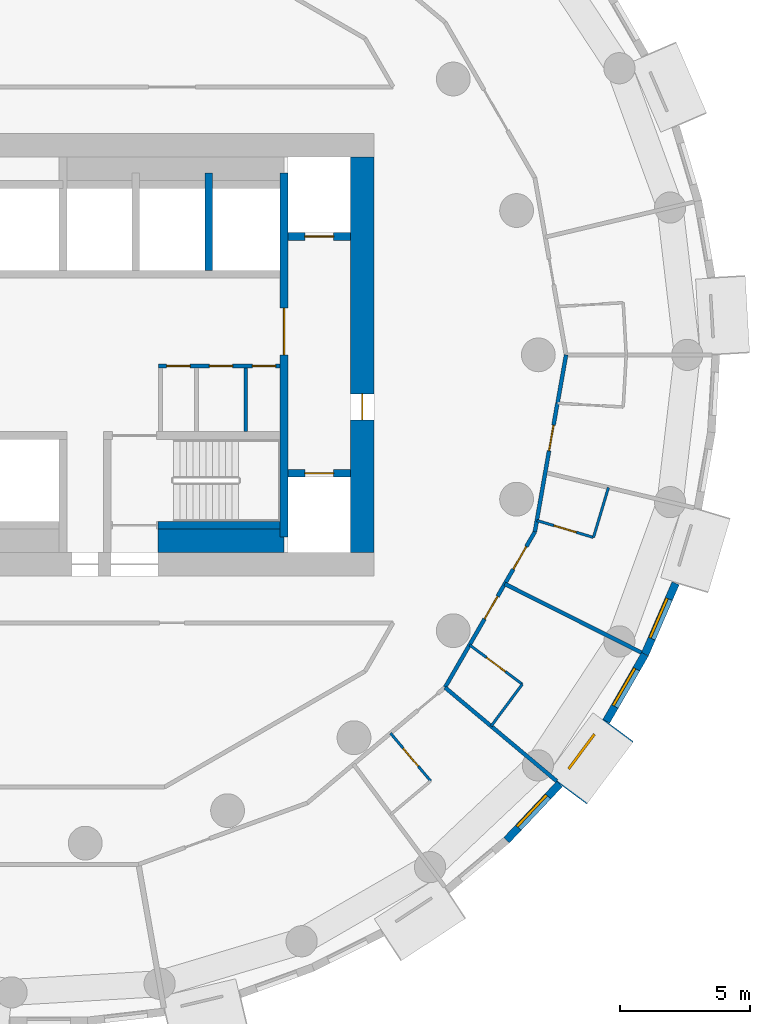
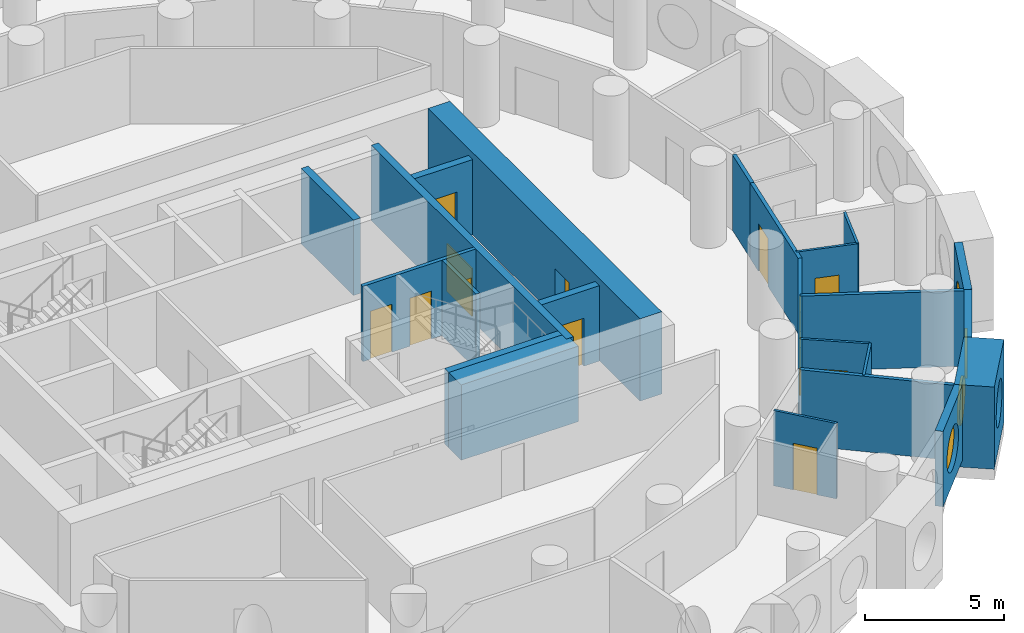
# One storey, part 5 of 10: 23 walls, 13 doors, 4 windows, 17 openings.
"""IFC4 building model written with IfcOpenShell, lengths in metres."""

from ifc_helpers import new_model, si_unit, direction, frame, frame_2d, origin, origin_2d, place, context, subcontext, project, spatial, rectangle, circle, extrude, material, layer, layer_set, type_object, element, fill, save


model = new_model("IFC4")

# Units and contexts
model_context = context("Model", 3, precision=1e-05, world=origin(), true_north=direction((0.0, 1.0)))
body_context = subcontext(model_context, "Body", "Model", "MODEL_VIEW")
ifc_project = project(units=[si_unit("LENGTHUNIT", "METRE"), si_unit("AREAUNIT", "SQUARE_METRE"), si_unit("VOLUMEUNIT", "CUBIC_METRE"), si_unit("PLANEANGLEUNIT", "RADIAN"), si_unit("MASSUNIT", "GRAM", prefix="KILO")], contexts=[model_context])

# Site, building, storey
site_placement = place(None, origin())
site = spatial("IfcSite", under=ifc_project, at=site_placement, CompositionType="ELEMENT")
building_placement = place(site_placement, origin())
building = spatial("IfcBuilding", under=site, at=building_placement, Name="Tracery Tower", CompositionType="ELEMENT")
storey_placement = place(building_placement, frame((0.0, 0.0, 194.39990234375)))
storey = spatial("IfcBuildingStorey", under=building, at=storey_placement, Name="L50", CompositionType="ELEMENT", Elevation=194.39990234375)

# Wall, openings, doors
ifc_material_1 = material(Name="Plasterboard on steel studs", Category="steel")
ifc_layer_1 = layer(ifc_material_1, 0.14990234375)
ifc_layer_set_1 = layer_set([ifc_layer_1], Name="Core room partition 150")
wall_type_1 = type_object("IfcWallType", Name="Core room partition 150", PredefinedType="SOLIDWALL", material=ifc_layer_set_1)
wall_1_placement = place(storey_placement, frame((4.22509765625, -0.425048828125, 0.0), z_axis=(0.0, 0.0, 1.0), x_axis=(1.0, 0.0, 0.0)))
wall_1 = element("IfcWall", 1, at=wall_1_placement, inside=storey, type_object=wall_type_1, Name="L50 slot N", PredefinedType="SOLIDWALL", context=body_context, shape_type="SweptSolid", body=[
    extrude(rectangle(XDim=4.6748046875, YDim=0.14990234375, at=frame_2d((2.33740234375, 0.0))), origin(), (0.0, 0.0, 1.0), 3.300048828125),
])
opening_1_placement = place(wall_1_placement, frame((0.3125, 0.0, 0.0)))
opening_1 = element("IfcOpeningElement", 2, at=opening_1_placement, cuts=wall_1, Name="Opening KD32", PredefinedType="OPENING", context=body_context, shape_type="SweptSolid", body=[
    extrude(rectangle(XDim=0.89990234375, YDim=2.10009765625, at=frame_2d((0.449951171875, 1.050048828125))), frame((0.0, 0.074951171875, 0.0), z_axis=(0.0, -1.0, 0.0), x_axis=(1.0, 0.0, 0.0)), (0.0, 0.0, 1.0), 0.14990234375),
])
opening_2_placement = place(wall_1_placement, frame((1.949951171875, 0.0, 0.0)))
opening_2 = element("IfcOpeningElement", 3, at=opening_2_placement, cuts=wall_1, Name="Opening KD21", PredefinedType="OPENING", context=body_context, shape_type="SweptSolid", body=[
    extrude(rectangle(XDim=0.89990234375, YDim=2.10009765625, at=frame_2d((0.449951171875, 1.050048828125))), frame((0.0, 0.074951171875, 0.0), z_axis=(0.0, -1.0, 0.0), x_axis=(1.0, 0.0, 0.0)), (0.0, 0.0, 1.0), 0.14990234375),
])
opening_3_placement = place(wall_1_placement, frame((3.60009765625, 0.0, 0.0)))
opening_3 = element("IfcOpeningElement", 4, at=opening_3_placement, cuts=wall_1, Name="Opening KD27", PredefinedType="OPENING", context=body_context, shape_type="SweptSolid", body=[
    extrude(rectangle(XDim=0.89990234375, YDim=2.10009765625, at=frame_2d((0.449951171875, 1.050048828125))), frame((0.0, 0.074951171875, 0.0), z_axis=(0.0, -1.0, 0.0), x_axis=(1.0, 0.0, 0.0)), (0.0, 0.0, 1.0), 0.14990234375),
])
ifc_material_2 = material(Name="Timber door leaf", Category="wood")
door_type_1 = type_object("IfcDoorType", Name="Core WC door 900", OperationType="NOTDEFINED", PredefinedType="DOOR", material=ifc_material_2)
door_1_placement = place(opening_2_placement, origin())
door_1 = element("IfcDoor", 5, at=door_1_placement, inside=storey, type_object=door_type_1, Name="Core door", OperationType="SINGLE_SWING_LEFT", OverallHeight=2.10009765625, OverallWidth=0.89990234375, PredefinedType="DOOR", context=body_context, shape_type="SweptSolid", body=[
    extrude(rectangle(XDim=0.89990234375, YDim=2.10009765625, at=frame_2d((0.449951171875, 1.050048828125))), frame((0.0, 0.02490234375, 0.0), z_axis=(0.0, -1.0, 0.0), x_axis=(1.0, 0.0, 0.0)), (0.0, 0.0, 1.0), 0.050048828125),
])
fill(opening_2, door_1)
ifc_material_3 = material(Name="Steel fire door", Category="steel")
door_type_2 = type_object("IfcDoorType", Name="Core riser door 900", OperationType="NOTDEFINED", PredefinedType="DOOR", material=ifc_material_3)
door_2_placement = place(opening_1_placement, origin())
door_2 = element("IfcDoor", 6, at=door_2_placement, inside=storey, type_object=door_type_2, Name="Core door", OperationType="SINGLE_SWING_RIGHT", OverallHeight=2.10009765625, OverallWidth=0.89990234375, PredefinedType="DOOR", context=body_context, shape_type="SweptSolid", body=[
    extrude(rectangle(XDim=0.89990234375, YDim=2.10009765625, at=frame_2d((0.449951171875, 1.050048828125))), frame((0.0, 0.02490234375, 0.0), z_axis=(0.0, -1.0, 0.0), x_axis=(1.0, 0.0, 0.0)), (0.0, 0.0, 1.0), 0.050048828125),
])
fill(opening_1, door_2)
ifc_material_4 = material(Name="Timber door leaf", Category="wood")
door_type_3 = type_object("IfcDoorType", Name="Core store door 900", OperationType="NOTDEFINED", PredefinedType="DOOR", material=ifc_material_4)
door_3_placement = place(opening_3_placement, origin())
door_3 = element("IfcDoor", 7, at=door_3_placement, inside=storey, type_object=door_type_3, Name="Core door", OperationType="SINGLE_SWING_RIGHT", OverallHeight=2.10009765625, OverallWidth=0.89990234375, PredefinedType="DOOR", context=body_context, shape_type="SweptSolid", body=[
    extrude(rectangle(XDim=0.89990234375, YDim=2.10009765625, at=frame_2d((0.449951171875, 1.050048828125))), frame((0.0, 0.02490234375, 0.0), z_axis=(0.0, -1.0, 0.0), x_axis=(1.0, 0.0, 0.0)), (0.0, 0.0, 1.0), 0.050048828125),
])
fill(opening_3, door_3)

# Walls
wall_2_placement = place(storey_placement, frame((7.574951171875, -2.949951171875, 0.0), z_axis=(0.0, 0.0, 1.0), x_axis=(0.0, 1.0, 0.0)))
element("IfcWall", 8, at=wall_2_placement, inside=storey, type_object=wall_type_1, Name="L50 slot sep 2", PredefinedType="SOLIDWALL", context=body_context, shape_type="SweptSolid", body=[
    extrude(rectangle(XDim=2.449951171875, YDim=0.14990234375, at=frame_2d((1.22509765625, 0.0))), origin(), (0.0, 0.0, 1.0), 3.300048828125),
])
ifc_material_5 = material(Name="Concrete C50/60", Category="concrete")
ifc_layer_2 = layer(ifc_material_5, 0.89990234375)
ifc_layer_set_2 = layer_set([ifc_layer_2], Name="Core strip wall 900 C50")
wall_type_2 = type_object("IfcWallType", Name="Core strip wall 900 C50", PredefinedType="SOLIDWALL", material=ifc_layer_set_2)
wall_3_placement = place(storey_placement, frame((4.199951171875, -7.14990234375, 0.0), z_axis=(0.0, 0.0, 1.0), x_axis=(1.0, 0.0, 0.0)))
element("IfcWall", 9, at=wall_3_placement, inside=storey, type_object=wall_type_2, Name="L50 F thick S E", PredefinedType="SOLIDWALL", context=body_context, shape_type="SweptSolid", body=[
    extrude(rectangle(XDim=4.85009765625, YDim=0.89990234375, at=frame_2d((2.425048828125, 0.0))), origin(), (0.0, 0.0, 1.0), 3.300048828125),
])

# Wall, opening, door
ifc_material_6 = material(Name="Concrete C50/60", Category="concrete")
ifc_layer_3 = layer(ifc_material_6, 0.89990234375)
ifc_layer_set_3 = layer_set([ifc_layer_3], Name="Core wall 900 C50")
wall_type_3 = type_object("IfcWallType", Name="Core wall 900 C50", PredefinedType="SOLIDWALL", material=ifc_layer_set_3)
wall_4_placement = place(storey_placement, frame((12.050048828125, -7.60009765625, 0.0), z_axis=(0.0, 0.0, 1.0), x_axis=(0.0, 1.0, 0.0)))
wall_4 = element("IfcWall", 10, at=wall_4_placement, inside=storey, type_object=wall_type_3, Name="L50 outer E", PredefinedType="SOLIDWALL", context=body_context, shape_type="SweptSolid", body=[
    extrude(rectangle(XDim=15.2001953125, YDim=0.89990234375, at=frame_2d((7.60009765625, 0.0))), origin(), (0.0, 0.0, 1.0), 3.60009765625),
])
opening_4_placement = place(wall_4_placement, frame((5.10009765625, 0.0, 0.0)))
opening_4 = element("IfcOpeningElement", 11, at=opening_4_placement, cuts=wall_4, Name="Opening KD18", PredefinedType="OPENING", context=body_context, shape_type="SweptSolid", body=[
    extrude(rectangle(XDim=1.0, YDim=2.10009765625, at=frame_2d((0.5, 1.050048828125))), frame((0.0, 0.449951171875, 0.0), z_axis=(0.0, -1.0, 0.0), x_axis=(1.0, 0.0, 0.0)), (0.0, 0.0, 1.0), 0.89990234375),
])
ifc_material_7 = material(Name="Steel fire door", Category="steel")
door_type_4 = type_object("IfcDoorType", Name="Core exit door 1000", OperationType="NOTDEFINED", PredefinedType="DOOR", material=ifc_material_7)
door_4_placement = place(opening_4_placement, origin())
door_4 = element("IfcDoor", 12, at=door_4_placement, inside=storey, type_object=door_type_4, Name="Core exit door", OperationType="DOUBLE_DOOR_SINGLE_SWING", OverallHeight=2.10009765625, OverallWidth=1.0, PredefinedType="DOOR", context=body_context, shape_type="SweptSolid", body=[
    extrude(rectangle(XDim=1.0, YDim=2.10009765625, at=frame_2d((0.5, 1.050048828125))), frame((0.0, 0.02490234375, 0.0), z_axis=(0.0, -1.0, 0.0), x_axis=(1.0, 0.0, 0.0)), (0.0, 0.0, 1.0), 0.050048828125),
])
fill(opening_4, door_4)

# Wall, opening, window
ifc_material_8 = material(Name="Precast concrete C50/60", Category="concrete")
ifc_layer_4 = layer(ifc_material_8, 1.449951171875)
ifc_layer_set_4 = layer_set([ifc_layer_4], Name="Deep-set bay unit 3000 x 3600, slab edge 300")
wall_type_4 = type_object("IfcWallType", Name="Deep-set bay unit 3000 x 3600, slab edge 300", PredefinedType="ELEMENTEDWALL", material=ifc_layer_set_4)
wall_5_placement = place(storey_placement, frame((20.10302734375, -16.836181640625, -0.2998046875), z_axis=(0.0, 0.0, 1.0), x_axis=(0.597183717734, 0.802104486506, 0.0)))
wall_5 = element("IfcWall", 13, at=wall_5_placement, inside=storey, type_object=wall_type_4, Name="Deep-set bay unit 49 at L50", PredefinedType="ELEMENTEDWALL", context=body_context, shape_type="SweptSolid", body=[
    extrude(rectangle(XDim=3.0, YDim=1.449951171875, at=frame_2d((1.5, 0.0))), origin(), (0.0, 0.0, 1.0), 3.599853515625),
])
opening_5_placement = place(wall_5_placement, frame((1.5, 0.0, 1.85009765625)))
opening_5 = element("IfcOpeningElement", 14, at=opening_5_placement, cuts=wall_5, Name="Opening WN1", PredefinedType="OPENING", context=body_context, shape_type="SweptSolid", body=[
    extrude(circle(Radius=0.9000244140625, at=origin_2d()), frame((0.0, 0.73486328125, 0.0), z_axis=(0.0, -1.0, 0.0), x_axis=(1.0, 0.0, 0.0)), (0.0, 0.0, 1.0), 1.469970703125),
])
ifc_material_9 = material(Name="Aluminium frame with tinted double glazing", Category="aluminium")
window_type = type_object("IfcWindowType", Name="Round window 1800", PartitioningType="SINGLE_PANEL", PredefinedType="WINDOW", material=ifc_material_9)
window_1_placement = place(opening_5_placement, origin())
window_1 = element("IfcWindow", 15, at=window_1_placement, inside=storey, type_object=window_type, Name="Round window 49 at L50", OverallHeight=1.800048828125, OverallWidth=1.800048828125, PartitioningType="SINGLE_PANEL", PredefinedType="WINDOW", context=body_context, shape_type="SweptSolid", body=[
    extrude(circle(Radius=0.9000244140625, at=origin_2d()), frame((0.0, 0.69482421875, 0.0), z_axis=(0.0, -1.0, 0.0), x_axis=(1.0, 0.0, 0.0)), (0.0, 0.0, 1.0), 0.10009765625),
])
fill(opening_5, window_1)

ifc_material_10 = material(Name="Precast concrete C50/60", Category="concrete")
ifc_layer_5 = layer(ifc_material_10, 0.300048828125)
ifc_layer_set_5 = layer_set([ifc_layer_5], Name="Facade panel 3000 x 3300")
wall_type_5 = type_object("IfcWallType", Name="Facade panel 3000 x 3300", PredefinedType="SOLIDWALL", material=ifc_layer_set_5)
wall_6_placement = place(storey_placement, frame((17.600341796875, -18.6552734375, 0.0), z_axis=(0.0, 0.0, 1.0), x_axis=(0.686235184166, 0.727379730273, 0.0)))
wall_6 = element("IfcWall", 16, at=wall_6_placement, inside=storey, type_object=wall_type_5, Name="Facade panel 48 at L50", PredefinedType="SOLIDWALL", context=body_context, shape_type="SweptSolid", body=[
    extrude(rectangle(XDim=2.972900390625, YDim=0.300048828125, at=frame_2d((1.486328125, 0.0))), origin(), (0.0, 0.0, 1.0), 3.300048828125),
])
opening_6_placement = place(wall_6_placement, frame((1.486328125, 0.0, 1.5498046875)))
opening_6 = element("IfcOpeningElement", 17, at=opening_6_placement, cuts=wall_6, Name="Opening WN1", PredefinedType="OPENING", context=body_context, shape_type="SweptSolid", body=[
    extrude(circle(Radius=0.9000244140625, at=origin_2d()), frame((0.0, 0.159912109375, 0.0), z_axis=(0.0, -1.0, 0.0), x_axis=(1.0, 0.0, 0.0)), (0.0, 0.0, 1.0), 0.320068359375),
])
window_2_placement = place(opening_6_placement, origin())
window_2 = element("IfcWindow", 18, at=window_2_placement, inside=storey, type_object=window_type, Name="Round window 48 at L50", OverallHeight=1.800048828125, OverallWidth=1.800048828125, PartitioningType="SINGLE_PANEL", PredefinedType="WINDOW", context=body_context, shape_type="SweptSolid", body=[
    extrude(circle(Radius=0.9000244140625, at=origin_2d()), frame((0.0, 0.1201171875, 0.0), z_axis=(0.0, -1.0, 0.0), x_axis=(1.0, 0.0, 0.0)), (0.0, 0.0, 1.0), 0.10009765625),
])
fill(opening_6, window_2)

wall_7_placement = place(storey_placement, frame((21.432861328125, -14.085205078125, 0.0), z_axis=(0.0, 0.0, 1.0), x_axis=(0.500016263033, 0.866016014115, 0.0)))
wall_7 = element("IfcWall", 19, at=wall_7_placement, inside=storey, type_object=wall_type_5, Name="Facade panel 50 at L50", PredefinedType="SOLIDWALL", context=body_context, shape_type="SweptSolid", body=[
    extrude(rectangle(XDim=2.97314453125, YDim=0.300048828125, at=frame_2d((1.486572265625, 0.0))), origin(), (0.0, 0.0, 1.0), 3.300048828125),
])
opening_7_placement = place(wall_7_placement, frame((1.486328125, 0.0, 1.5498046875)))
opening_7 = element("IfcOpeningElement", 20, at=opening_7_placement, cuts=wall_7, Name="Opening WN1", PredefinedType="OPENING", context=body_context, shape_type="SweptSolid", body=[
    extrude(circle(Radius=0.9000244140625, at=origin_2d()), frame((0.0, 0.159912109375, 0.0), z_axis=(0.0, -1.0, 0.0), x_axis=(1.0, 0.0, 0.0)), (0.0, 0.0, 1.0), 0.320068359375),
])
window_3_placement = place(opening_7_placement, origin())
window_3 = element("IfcWindow", 21, at=window_3_placement, inside=storey, type_object=window_type, Name="Round window 50 at L50", OverallHeight=1.800048828125, OverallWidth=1.800048828125, PartitioningType="SINGLE_PANEL", PredefinedType="WINDOW", context=body_context, shape_type="SweptSolid", body=[
    extrude(circle(Radius=0.9000244140625, at=origin_2d()), frame((0.0, 0.1201171875, 0.0), z_axis=(0.0, -1.0, 0.0), x_axis=(1.0, 0.0, 0.0)), (0.0, 0.0, 1.0), 0.10009765625),
])
fill(opening_7, window_3)

wall_8_placement = place(storey_placement, frame((22.91943359375, -11.510498046875, 0.0), z_axis=(0.0, 0.0, 1.0), x_axis=(0.396078892785, 0.918216483565, 0.0)))
wall_8 = element("IfcWall", 22, at=wall_8_placement, inside=storey, type_object=wall_type_5, Name="Facade panel 51 at L50", PredefinedType="SOLIDWALL", context=body_context, shape_type="SweptSolid", body=[
    extrude(rectangle(XDim=2.972900390625, YDim=0.300048828125, at=frame_2d((1.486328125, 0.0))), origin(), (0.0, 0.0, 1.0), 3.300048828125),
])
opening_8_placement = place(wall_8_placement, frame((1.486328125, 0.0, 1.5498046875)))
opening_8 = element("IfcOpeningElement", 23, at=opening_8_placement, cuts=wall_8, Name="Opening WN1", PredefinedType="OPENING", context=body_context, shape_type="SweptSolid", body=[
    extrude(circle(Radius=0.9000244140625, at=origin_2d()), frame((0.0, 0.159912109375, 0.0), z_axis=(0.0, -1.0, 0.0), x_axis=(1.0, 0.0, 0.0)), (0.0, 0.0, 1.0), 0.320068359375),
])
window_4_placement = place(opening_8_placement, origin())
window_4 = element("IfcWindow", 24, at=window_4_placement, inside=storey, type_object=window_type, Name="Round window 51 at L50", OverallHeight=1.800048828125, OverallWidth=1.800048828125, PartitioningType="SINGLE_PANEL", PredefinedType="WINDOW", context=body_context, shape_type="SweptSolid", body=[
    extrude(circle(Radius=0.9000244140625, at=origin_2d()), frame((0.0, 0.1201171875, 0.0), z_axis=(0.0, -1.0, 0.0), x_axis=(1.0, 0.0, 0.0)), (0.0, 0.0, 1.0), 0.10009765625),
])
fill(opening_8, window_4)

# Wall, opening, door
ifc_material_11 = material(Name="Plasterboard on steel studs", Category="steel")
ifc_layer_6 = layer(ifc_material_11, 0.10009765625)
ifc_layer_set_6 = layer_set([ifc_layer_6], Name="Partition 100 wet wall")
wall_type_6 = type_object("IfcWallType", Name="Partition 100 wet wall", PredefinedType="PARTITIONING", material=ifc_layer_set_6)
wall_9_placement = place(storey_placement, frame((13.138916015625, -14.5419921875, 0.0), z_axis=(0.0, 0.0, 1.0), x_axis=(0.642731657745, -0.766091388891, 0.0)))
wall_9 = element("IfcWall", 25, at=wall_9_placement, inside=storey, type_object=wall_type_6, Name="Wet wall RB7-059", PredefinedType="PARTITIONING", context=body_context, shape_type="SweptSolid", body=[
    extrude(rectangle(XDim=2.400634765625, YDim=0.10009765625, at=frame_2d((1.2001953125, 0.0))), origin(), (0.0, 0.0, 1.0), 3.300048828125),
])
opening_9_placement = place(wall_9_placement, frame((0.75048828125, 0.0, 0.0)))
opening_9 = element("IfcOpeningElement", 26, at=opening_9_placement, cuts=wall_9, Name="Opening RB7-19", PredefinedType="OPENING", context=body_context, shape_type="SweptSolid", body=[
    extrude(rectangle(XDim=0.89990234375, YDim=2.0400390625, at=frame_2d((0.449951171875, 1.02001953125))), frame((0.0, 0.050048828125, 0.0), z_axis=(0.0, -1.0, 0.0), x_axis=(1.0, 0.0, 0.0)), (0.0, 0.0, 1.0), 0.10009765625),
])
ifc_material_12 = material(Name="Timber door leaf", Category="wood")
door_type_5 = type_object("IfcDoorType", Name="Door en-suite 900", OperationType="NOTDEFINED", PredefinedType="DOOR", material=ifc_material_12)
door_5_placement = place(opening_9_placement, origin())
door_5 = element("IfcDoor", 27, at=door_5_placement, inside=storey, type_object=door_type_5, Name="En-suite door RB7-19", OperationType="SINGLE_SWING_LEFT", OverallHeight=2.0400390625, OverallWidth=0.89990234375, PredefinedType="DOOR", context=body_context, shape_type="SweptSolid", body=[
    extrude(rectangle(XDim=0.89990234375, YDim=2.0400390625, at=frame_2d((0.449951171875, 1.02001953125))), frame((0.0, 0.02490234375, 0.0), z_axis=(0.0, -1.0, 0.0), x_axis=(1.0, 0.0, 0.0)), (0.0, 0.0, 1.0), 0.050048828125),
])
fill(opening_9, door_5)

# Wall
wall_10_placement = place(storey_placement, frame((17.007080078125, -14.27099609375, 0.0), z_axis=(0.0, 0.0, 1.0), x_axis=(0.597019866774, 0.802226450996, 0.0)))
element("IfcWall", 28, at=wall_10_placement, inside=storey, type_object=wall_type_6, Name="Wet wall RB7-061", PredefinedType="PARTITIONING", context=body_context, shape_type="SweptSolid", body=[
    extrude(rectangle(XDim=2.00830078125, YDim=0.10009765625, at=frame_2d((1.004150390625, 0.0))), origin(), (0.0, 0.0, 1.0), 3.300048828125),
])

# Wall, opening, door
wall_11_placement = place(storey_placement, frame((16.177978515625, -11.14990234375, 0.0), z_axis=(0.0, 0.0, 1.0), x_axis=(0.8020923136, -0.597200067367, 0.0)))
wall_11 = element("IfcWall", 29, at=wall_11_placement, inside=storey, type_object=wall_type_6, Name="Wet wall RB7-062", PredefinedType="PARTITIONING", context=body_context, shape_type="SweptSolid", body=[
    extrude(rectangle(XDim=2.528564453125, YDim=0.10009765625, at=frame_2d((1.26416015625, 0.0))), origin(), (0.0, 0.0, 1.0), 3.300048828125),
])
opening_10_placement = place(wall_11_placement, frame((0.814453125, 0.0, 0.0)))
opening_10 = element("IfcOpeningElement", 30, at=opening_10_placement, cuts=wall_11, Name="Opening RB7-21", PredefinedType="OPENING", context=body_context, shape_type="SweptSolid", body=[
    extrude(rectangle(XDim=0.89990234375, YDim=2.0400390625, at=frame_2d((0.449951171875, 1.02001953125))), frame((0.0, 0.050048828125, 0.0), z_axis=(0.0, -1.0, 0.0), x_axis=(1.0, 0.0, 0.0)), (0.0, 0.0, 1.0), 0.10009765625),
])
door_6_placement = place(opening_10_placement, origin())
door_6 = element("IfcDoor", 31, at=door_6_placement, inside=storey, type_object=door_type_5, Name="En-suite door RB7-21", OperationType="SINGLE_SWING_LEFT", OverallHeight=2.0400390625, OverallWidth=0.89990234375, PredefinedType="DOOR", context=body_context, shape_type="SweptSolid", body=[
    extrude(rectangle(XDim=0.89990234375, YDim=2.0400390625, at=frame_2d((0.449951171875, 1.02001953125))), frame((0.0, 0.02490234375, 0.0), z_axis=(0.0, -1.0, 0.0), x_axis=(1.0, 0.0, 0.0)), (0.0, 0.0, 1.0), 0.050048828125),
])
fill(opening_10, door_6)

wall_12_placement = place(storey_placement, frame((18.764892578125, -6.366943359375, 0.0), z_axis=(0.0, 0.0, 1.0), x_axis=(0.958030169919, -0.286667391807, 0.0)))
wall_12 = element("IfcWall", 32, at=wall_12_placement, inside=storey, type_object=wall_type_6, Name="Wet wall RB7-064", PredefinedType="PARTITIONING", context=body_context, shape_type="SweptSolid", body=[
    extrude(rectangle(XDim=2.271240234375, YDim=0.10009765625, at=frame_2d((1.1357421875, 0.0))), origin(), (0.0, 0.0, 1.0), 3.300048828125),
])
opening_11_placement = place(wall_12_placement, frame((0.68603515625, 0.0, 0.0)))
opening_11 = element("IfcOpeningElement", 33, at=opening_11_placement, cuts=wall_12, Name="Opening RB7-23", PredefinedType="OPENING", context=body_context, shape_type="SweptSolid", body=[
    extrude(rectangle(XDim=0.89990234375, YDim=2.0400390625, at=frame_2d((0.449951171875, 1.02001953125))), frame((0.0, 0.050048828125, 0.0), z_axis=(0.0, -1.0, 0.0), x_axis=(1.0, 0.0, 0.0)), (0.0, 0.0, 1.0), 0.10009765625),
])
door_7_placement = place(opening_11_placement, origin())
door_7 = element("IfcDoor", 34, at=door_7_placement, inside=storey, type_object=door_type_5, Name="En-suite door RB7-23", OperationType="SINGLE_SWING_RIGHT", OverallHeight=2.0400390625, OverallWidth=0.89990234375, PredefinedType="DOOR", context=body_context, shape_type="SweptSolid", body=[
    extrude(rectangle(XDim=0.89990234375, YDim=2.0400390625, at=frame_2d((0.449951171875, 1.02001953125))), frame((0.0, 0.02490234375, 0.0), z_axis=(0.0, -1.0, 0.0), x_axis=(1.0, 0.0, 0.0)), (0.0, 0.0, 1.0), 0.050048828125),
])
fill(opening_11, door_7)

# Walls
wall_13_placement = place(storey_placement, frame((20.94091796875, -7.01806640625, 0.0), z_axis=(0.0, 0.0, 1.0), x_axis=(0.287124264191, 0.957893343182, 0.0)))
element("IfcWall", 35, at=wall_13_placement, inside=storey, type_object=wall_type_6, Name="Wet wall RB7-065", PredefinedType="PARTITIONING", context=body_context, shape_type="SweptSolid", body=[
    extrude(rectangle(XDim=2.00341796875, YDim=0.10009765625, at=frame_2d((1.001708984375, 0.0))), origin(), (0.0, 0.0, 1.0), 3.300048828125),
])
ifc_material_13 = material(Name="Plasterboard on steel studs", Category="steel")
ifc_layer_7 = layer(ifc_material_13, 0.14990234375)
ifc_layer_set_7 = layer_set([ifc_layer_7], Name="Partition 150 acoustic unit wall")
wall_type_7 = type_object("IfcWallType", Name="Partition 150 acoustic unit wall", PredefinedType="PARTITIONING", material=ifc_layer_set_7)
wall_14_placement = place(storey_placement, frame((15.234375, -12.784912109375, 0.0), z_axis=(0.0, 0.0, 1.0), x_axis=(0.766230257274, -0.642566099976, 0.0)))
element("IfcWall", 36, at=wall_14_placement, inside=storey, type_object=wall_type_7, Name="Unit wall RB7-060", PredefinedType="PARTITIONING", context=body_context, shape_type="SweptSolid", body=[
    extrude(rectangle(XDim=5.60888671875, YDim=0.14990234375, at=frame_2d((2.804443359375, 0.0))), origin(), (0.0, 0.0, 1.0), 3.300048828125),
])
wall_15_placement = place(storey_placement, frame((17.531982421875, -8.804931640625, 0.0), z_axis=(0.0, 0.0, 1.0), x_axis=(0.893628331628, -0.448807759415, 0.0)))
element("IfcWall", 37, at=wall_15_placement, inside=storey, type_object=wall_type_7, Name="Unit wall RB7-063", PredefinedType="PARTITIONING", context=body_context, shape_type="SweptSolid", body=[
    extrude(rectangle(XDim=5.878173828125, YDim=0.14990234375, at=frame_2d((2.93896484375, 0.0))), origin(), (0.0, 0.0, 1.0), 3.300048828125),
])

# Wall, openings, doors
ifc_material_14 = material(Name="Plasterboard on steel studs", Category="steel")
ifc_layer_8 = layer(ifc_material_14, 0.14990234375)
ifc_layer_set_8 = layer_set([ifc_layer_8], Name="Partition 150 corridor wall")
wall_type_8 = type_object("IfcWallType", Name="Partition 150 corridor wall", PredefinedType="PARTITIONING", material=ifc_layer_set_8)
wall_16_placement = place(storey_placement, frame((15.234619140625, -12.78369140625, 0.0), z_axis=(0.0, 0.0, 1.0), x_axis=(0.499982531118, 0.866035489213, 0.0)))
wall_16 = element("IfcWall", 38, at=wall_16_placement, inside=storey, type_object=wall_type_8, Name="Corridor wall RB7-011", PredefinedType="PARTITIONING", context=body_context, shape_type="SweptSolid", body=[
    extrude(rectangle(XDim=6.906982421875, YDim=0.14990234375, at=frame_2d((3.45361328125, 0.0))), origin(), (0.0, 0.0, 1.0), 3.300048828125),
])
opening_12_placement = place(wall_16_placement, frame((3.041015625, 0.0, 0.0)))
opening_12 = element("IfcOpeningElement", 39, at=opening_12_placement, cuts=wall_16, Name="Opening RB7-22", PredefinedType="OPENING", context=body_context, shape_type="SweptSolid", body=[
    extrude(rectangle(XDim=1.0, YDim=2.10009765625, at=frame_2d((0.5, 1.050048828125))), frame((0.0, 0.074951171875, 0.0), z_axis=(0.0, -1.0, 0.0), x_axis=(1.0, 0.0, 0.0)), (0.0, 0.0, 1.0), 0.14990234375),
])
opening_13_placement = place(wall_16_placement, frame((5.2490234375, 0.0, 0.0)))
opening_13 = element("IfcOpeningElement", 40, at=opening_13_placement, cuts=wall_16, Name="Opening RB7-24", PredefinedType="OPENING", context=body_context, shape_type="SweptSolid", body=[
    extrude(rectangle(XDim=1.0, YDim=2.10009765625, at=frame_2d((0.5, 1.050048828125))), frame((0.0, 0.074951171875, 0.0), z_axis=(0.0, -1.0, 0.0), x_axis=(1.0, 0.0, 0.0)), (0.0, 0.0, 1.0), 0.14990234375),
])
ifc_material_15 = material(Name="Timber door leaf", Category="wood")
door_type_6 = type_object("IfcDoorType", Name="Door unit entrance 1000", OperationType="NOTDEFINED", PredefinedType="DOOR", material=ifc_material_15)
door_8_placement = place(opening_12_placement, origin())
door_8 = element("IfcDoor", 41, at=door_8_placement, inside=storey, type_object=door_type_6, Name="Unit entrance door RB7-22", OperationType="SINGLE_SWING_LEFT", OverallHeight=2.10009765625, OverallWidth=1.0, PredefinedType="DOOR", context=body_context, shape_type="SweptSolid", body=[
    extrude(rectangle(XDim=1.0, YDim=2.10009765625, at=frame_2d((0.5, 1.050048828125))), frame((0.0, 0.02490234375, 0.0), z_axis=(0.0, -1.0, 0.0), x_axis=(1.0, 0.0, 0.0)), (0.0, 0.0, 1.0), 0.050048828125),
])
fill(opening_12, door_8)
door_9_placement = place(opening_13_placement, origin())
door_9 = element("IfcDoor", 42, at=door_9_placement, inside=storey, type_object=door_type_6, Name="Unit entrance door RB7-24", OperationType="SINGLE_SWING_LEFT", OverallHeight=2.10009765625, OverallWidth=1.0, PredefinedType="DOOR", context=body_context, shape_type="SweptSolid", body=[
    extrude(rectangle(XDim=1.0, YDim=2.10009765625, at=frame_2d((0.5, 1.050048828125))), frame((0.0, 0.02490234375, 0.0), z_axis=(0.0, -1.0, 0.0), x_axis=(1.0, 0.0, 0.0)), (0.0, 0.0, 1.0), 0.050048828125),
])
fill(opening_13, door_9)

# Wall, opening, door
wall_17_placement = place(storey_placement, frame((18.68798828125, -6.802001953125, 0.0), z_axis=(0.0, 0.0, 1.0), x_axis=(0.172737452508, 0.9849679043, 0.0)))
wall_17 = element("IfcWall", 43, at=wall_17_placement, inside=storey, type_object=wall_type_8, Name="Corridor wall RB7-012", PredefinedType="PARTITIONING", context=body_context, shape_type="SweptSolid", body=[
    extrude(rectangle(XDim=5.0244140625, YDim=0.14990234375, at=frame_2d((2.51220703125, 0.0))), origin(), (0.0, 0.0, 1.0), 3.300048828125),
])
opening_14_placement = place(wall_17_placement, frame((3.16650390625, 0.0, 0.0)))
opening_14 = element("IfcOpeningElement", 44, at=opening_14_placement, cuts=wall_17, Name="Opening RB7-26", PredefinedType="OPENING", context=body_context, shape_type="SweptSolid", body=[
    extrude(rectangle(XDim=1.0, YDim=2.10009765625, at=frame_2d((0.5, 1.050048828125))), frame((0.0, 0.074951171875, 0.0), z_axis=(0.0, -1.0, 0.0), x_axis=(1.0, 0.0, 0.0)), (0.0, 0.0, 1.0), 0.14990234375),
])
door_10_placement = place(opening_14_placement, origin())
door_10 = element("IfcDoor", 45, at=door_10_placement, inside=storey, type_object=door_type_6, Name="Unit entrance door RB7-26", OperationType="SINGLE_SWING_RIGHT", OverallHeight=2.10009765625, OverallWidth=1.0, PredefinedType="DOOR", context=body_context, shape_type="SweptSolid", body=[
    extrude(rectangle(XDim=1.0, YDim=2.10009765625, at=frame_2d((0.5, 1.050048828125))), frame((0.0, 0.02490234375, 0.0), z_axis=(0.0, -1.0, 0.0), x_axis=(1.0, 0.0, 0.0)), (0.0, 0.0, 1.0), 0.050048828125),
])
fill(opening_14, door_10)

# Walls
wall_18_placement = place(storey_placement, frame((19.56005859375, -1.862060546875, 0.0), z_axis=(0.0, 0.0, 1.0), x_axis=(0.173417007661, 0.984848486547, 0.0)))
element("IfcWall", 46, at=wall_18_placement, inside=storey, type_object=wall_type_8, Name="Corridor wall RB7-013", PredefinedType="PARTITIONING", context=body_context, shape_type="SweptSolid", body=[
    extrude(rectangle(XDim=1.890625, YDim=0.14990234375, at=frame_2d((0.9453125, 0.0))), origin(), (0.0, 0.0, 1.0), 3.300048828125),
])
ifc_material_16 = material(Name="Concrete C50/60", Category="concrete")
ifc_layer_9 = layer(ifc_material_16, 0.300048828125)
ifc_layer_set_9 = layer_set([ifc_layer_9], Name="Shaft wall 300 C50")
wall_type_9 = type_object("IfcWallType", Name="Shaft wall 300 C50", PredefinedType="SOLIDWALL", material=ifc_layer_set_9)
wall_19_placement = place(storey_placement, frame((6.14990234375, 3.25, 0.0), z_axis=(0.0, 0.0, 1.0), x_axis=(0.0, 1.0, 0.0)))
element("IfcWall", 47, at=wall_19_placement, inside=storey, type_object=wall_type_9, Name="L50 HR sep 3", PredefinedType="SOLIDWALL", context=body_context, shape_type="SweptSolid", body=[
    extrude(rectangle(XDim=3.75, YDim=0.300048828125, at=frame_2d((1.875, 0.0))), origin(), (0.0, 0.0, 1.0), 3.300048828125),
])

# Wall, opening, door
wall_20_placement = place(storey_placement, frame((9.199951171875, -4.550048828125, 0.0), z_axis=(0.0, 0.0, 1.0), x_axis=(1.0, 0.0, 0.0)))
wall_20 = element("IfcWall", 48, at=wall_20_placement, inside=storey, type_object=wall_type_9, Name="L50 MR E -4.55", PredefinedType="SOLIDWALL", context=body_context, shape_type="SweptSolid", body=[
    extrude(rectangle(XDim=2.400146484375, YDim=0.300048828125, at=frame_2d((1.2001953125, 0.0))), origin(), (0.0, 0.0, 1.0), 3.300048828125),
])
opening_15_placement = place(wall_20_placement, frame((0.64990234375, 0.0, 0.0)))
opening_15 = element("IfcOpeningElement", 49, at=opening_15_placement, cuts=wall_20, Name="Opening KD50", PredefinedType="OPENING", context=body_context, shape_type="SweptSolid", body=[
    extrude(rectangle(XDim=1.10009765625, YDim=2.10009765625, at=frame_2d((0.550048828125, 1.050048828125))), frame((0.0, 0.14990234375, 0.0), z_axis=(0.0, -1.0, 0.0), x_axis=(1.0, 0.0, 0.0)), (0.0, 0.0, 1.0), 0.300048828125),
])
ifc_material_17 = material(Name="Steel fire door", Category="steel")
door_type_7 = type_object("IfcDoorType", Name="Landing door 1100", OperationType="NOTDEFINED", PredefinedType="DOOR", material=ifc_material_17)
door_11_placement = place(opening_15_placement, origin())
door_11 = element("IfcDoor", 50, at=door_11_placement, inside=storey, type_object=door_type_7, Name="Landing door MR3", OperationType="SLIDING_TO_RIGHT", OverallHeight=2.10009765625, OverallWidth=1.10009765625, PredefinedType="DOOR", context=body_context, shape_type="SweptSolid", body=[
    extrude(rectangle(XDim=1.10009765625, YDim=2.10009765625, at=frame_2d((0.550048828125, 1.050048828125))), frame((0.0, 0.02490234375, 0.0), z_axis=(0.0, -1.0, 0.0), x_axis=(1.0, 0.0, 0.0)), (0.0, 0.0, 1.0), 0.050048828125),
])
fill(opening_15, door_11)

wall_21_placement = place(storey_placement, frame((9.199951171875, 4.550048828125, 0.0), z_axis=(0.0, 0.0, 1.0), x_axis=(1.0, 0.0, 0.0)))
wall_21 = element("IfcWall", 51, at=wall_21_placement, inside=storey, type_object=wall_type_9, Name="L50 MR E +4.55", PredefinedType="SOLIDWALL", context=body_context, shape_type="SweptSolid", body=[
    extrude(rectangle(XDim=2.400146484375, YDim=0.300048828125, at=frame_2d((1.2001953125, 0.0))), origin(), (0.0, 0.0, 1.0), 3.300048828125),
])
opening_16_placement = place(wall_21_placement, frame((0.64990234375, 0.0, 0.0)))
opening_16 = element("IfcOpeningElement", 52, at=opening_16_placement, cuts=wall_21, Name="Opening KD49", PredefinedType="OPENING", context=body_context, shape_type="SweptSolid", body=[
    extrude(rectangle(XDim=1.10009765625, YDim=2.10009765625, at=frame_2d((0.550048828125, 1.050048828125))), frame((0.0, 0.14990234375, 0.0), z_axis=(0.0, -1.0, 0.0), x_axis=(1.0, 0.0, 0.0)), (0.0, 0.0, 1.0), 0.300048828125),
])
door_12_placement = place(opening_16_placement, origin())
door_12 = element("IfcDoor", 53, at=door_12_placement, inside=storey, type_object=door_type_7, Name="Landing door MR4", OperationType="SLIDING_TO_LEFT", OverallHeight=2.10009765625, OverallWidth=1.10009765625, PredefinedType="DOOR", context=body_context, shape_type="SweptSolid", body=[
    extrude(rectangle(XDim=1.10009765625, YDim=2.10009765625, at=frame_2d((0.550048828125, 1.050048828125))), frame((0.0, 0.02490234375, 0.0), z_axis=(0.0, -1.0, 0.0), x_axis=(1.0, 0.0, 0.0)), (0.0, 0.0, 1.0), 0.050048828125),
])
fill(opening_16, door_12)

ifc_material_18 = material(Name="Concrete C50/60", Category="concrete")
ifc_layer_10 = layer(ifc_material_18, 0.300048828125)
ifc_layer_set_10 = layer_set([ifc_layer_10], Name="Stair wall 300 C50")
wall_type_10 = type_object("IfcWallType", Name="Stair wall 300 C50", PredefinedType="SOLIDWALL", material=ifc_layer_set_10)
wall_22_placement = place(storey_placement, frame((9.050048828125, -7.0, 0.0), z_axis=(0.0, 0.0, 1.0), x_axis=(0.0, 1.0, 0.0)))
wall_22 = element("IfcWall", 54, at=wall_22_placement, inside=storey, type_object=wall_type_10, Name="L50 F wall +9", PredefinedType="SOLIDWALL", context=body_context, shape_type="SweptSolid", body=[
    extrude(rectangle(XDim=14.0, YDim=0.300048828125, at=frame_2d((7.0, 0.0))), origin(), (0.0, 0.0, 1.0), 3.300048828125),
])
opening_17_placement = place(wall_22_placement, frame((7.0, 0.0, 0.0)))
opening_17 = element("IfcOpeningElement", 55, at=opening_17_placement, cuts=wall_22, Name="Opening KD13", PredefinedType="OPENING", context=body_context, shape_type="SweptSolid", body=[
    extrude(rectangle(XDim=1.800048828125, YDim=2.10009765625, at=frame_2d((0.89990234375, 1.050048828125))), frame((0.0, 0.14990234375, 0.0), z_axis=(0.0, -1.0, 0.0), x_axis=(1.0, 0.0, 0.0)), (0.0, 0.0, 1.0), 0.300048828125),
])
ifc_material_19 = material(Name="Steel fire door", Category="steel")
door_type_8 = type_object("IfcDoorType", Name="Core exit door 1800 double", OperationType="NOTDEFINED", PredefinedType="DOOR", material=ifc_material_19)
door_13_placement = place(opening_17_placement, origin())
door_13 = element("IfcDoor", 56, at=door_13_placement, inside=storey, type_object=door_type_8, Name="Core exit door", OperationType="DOUBLE_DOOR_SINGLE_SWING", OverallHeight=2.10009765625, OverallWidth=1.800048828125, PredefinedType="DOOR", context=body_context, shape_type="SweptSolid", body=[
    extrude(rectangle(XDim=1.800048828125, YDim=2.10009765625, at=frame_2d((0.89990234375, 1.050048828125))), frame((0.0, 0.02490234375, 0.0), z_axis=(0.0, -1.0, 0.0), x_axis=(1.0, 0.0, 0.0)), (0.0, 0.0, 1.0), 0.050048828125),
])
fill(opening_17, door_13)

# Wall
wall_23_placement = place(storey_placement, frame((4.199951171875, -6.550048828125, 0.0), z_axis=(0.0, 0.0, 1.0), x_axis=(1.0, 0.0, 0.0)))
element("IfcWall", 57, at=wall_23_placement, inside=storey, type_object=wall_type_10, Name="L50 F stair strip S E", PredefinedType="SOLIDWALL", context=body_context, shape_type="SweptSolid", body=[
    extrude(rectangle(XDim=4.699951171875, YDim=0.300048828125, at=frame_2d((2.35009765625, 0.0))), origin(), (0.0, 0.0, 1.0), 3.300048828125),
])

save(model, "model.ifc")
